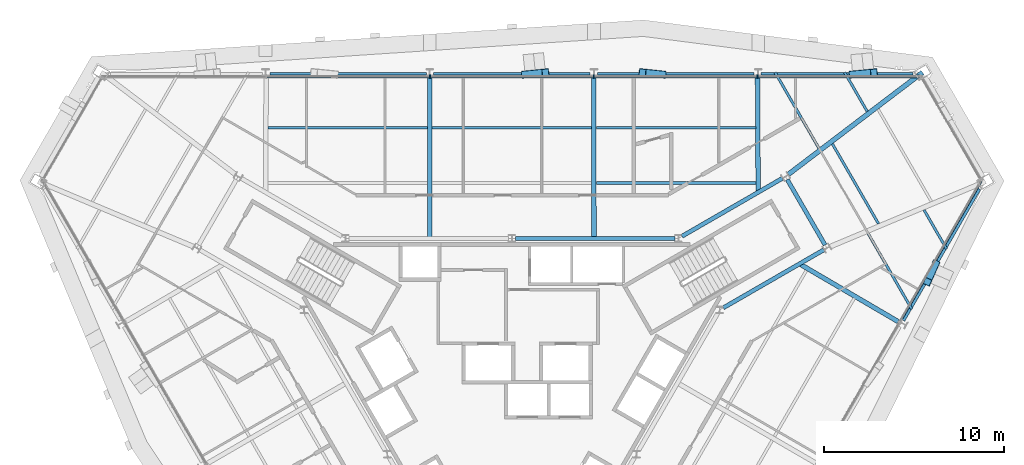
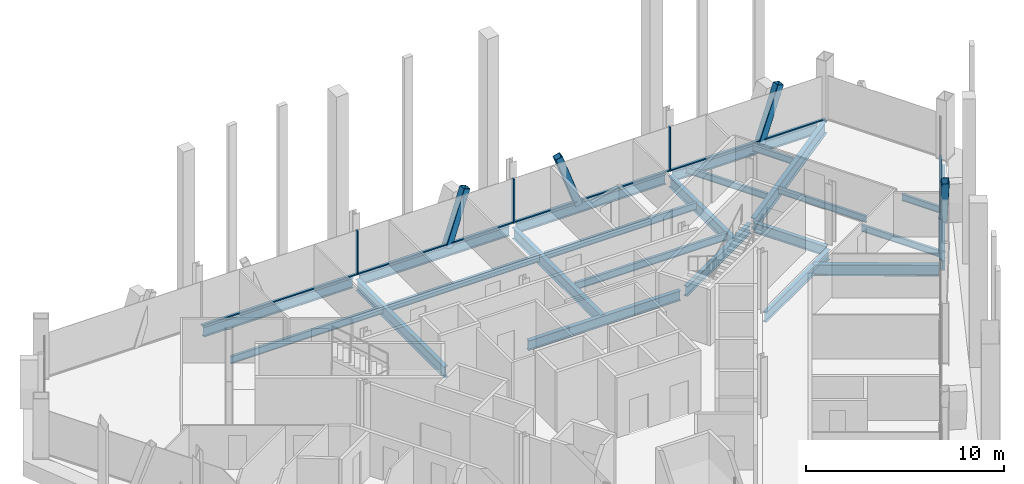
# One storey, part 7 of 16: 23 beams, 12 members, 2 elements without a shape of their own.
"""IFC4 building model written with IfcOpenShell, lengths in metres."""

from ifc_helpers import new_model, si_unit, direction, frame, origin, origin_2d, place, context, subcontext, project, spatial, rectangle, hollow_rectangle, i_section, extrude, material, material_profile, profile_set, type_object, element, aggregate, save


model = new_model("IFC4")

# Units and contexts
model_context = context("Model", 3, precision=1e-05, world=origin(), true_north=direction((0.0, 1.0)))
body_context = subcontext(model_context, "Body", "Model", "MODEL_VIEW")
ifc_project = project(units=[si_unit("LENGTHUNIT", "METRE"), si_unit("AREAUNIT", "SQUARE_METRE"), si_unit("VOLUMEUNIT", "CUBIC_METRE"), si_unit("PLANEANGLEUNIT", "RADIAN"), si_unit("MASSUNIT", "GRAM", prefix="KILO")], contexts=[model_context])

# Site, building, storey
site_placement = place(None, origin())
site = spatial("IfcSite", under=ifc_project, at=site_placement, CompositionType="ELEMENT")
building_placement = place(site_placement, origin())
building = spatial("IfcBuilding", under=site, at=building_placement, Name="Verrane Prism Tower", CompositionType="ELEMENT")
storey_placement = place(building_placement, frame((0.0, 0.0, 247.10009765625)))
storey = spatial("IfcBuildingStorey", under=building, at=storey_placement, Name="L62", CompositionType="ELEMENT", Elevation=247.10009765625)

# Beams
ifc_material_1 = material(Name="Steel A992", Category="steel")
ifc_material_profile_1 = material_profile(ifc_material_1, i_section(OverallWidth=0.23046875, OverallDepth=0.6171875, WebThickness=0.01318359375, FlangeThickness=0.022216796875, FilletRadius=0.012939453125, at=origin_2d()), Name="W24x94")
ifc_profile_set_1 = profile_set([ifc_material_profile_1], Name="Steel A992")
beam_type_1 = type_object("IfcBeamType", Name="Core ring girder W24x94", PredefinedType="BEAM", material=ifc_profile_set_1)
beam_1_placement = place(storey_placement, frame((11.759521484375, 4.135009765625, -0.55859375), z_axis=(0.866080992722, 0.499903704773, 0.0), x_axis=(-0.499903704773, 0.866080992722, 0.0)))
element("IfcBeam", 1, at=beam_1_placement, inside=storey, type_object=beam_type_1, Name="Core ring girder L62", PredefinedType="BEAM", context=body_context, shape_type="SweptSolid", body=[
    extrude(i_section(OverallWidth=0.23046875, OverallDepth=0.6171875, WebThickness=0.01318359375, FlangeThickness=0.022216796875, FilletRadius=0.012939453125, at=origin_2d()), origin(), (0.0, 0.0, 1.0), 6.451904296875),
])
beam_2_placement = place(storey_placement, frame((17.419677734375, 7.6337890625, -0.55859375), z_axis=(-0.500375511519, 0.865808493532, 0.0), x_axis=(-0.865808493532, -0.500375511519, 0.0)))
element("IfcBeam", 2, at=beam_2_placement, inside=storey, type_object=beam_type_1, Name="Core ring girder L62", PredefinedType="BEAM", context=body_context, shape_type="SweptSolid", body=[
    extrude(i_section(OverallWidth=0.23046875, OverallDepth=0.6171875, WebThickness=0.01318359375, FlangeThickness=0.022216796875, FilletRadius=0.012939453125, at=origin_2d()), origin(), (0.0, 0.0, 1.0), 4.195556640625),
])
beam_3_placement = place(storey_placement, frame((15.04736328125, 11.34033203125, -0.55859375), z_axis=(-0.866080992722, -0.499903704773, 0.0), x_axis=(0.499903704773, -0.866080992722, 0.0)))
element("IfcBeam", 3, at=beam_3_placement, inside=storey, type_object=beam_type_1, Name="Core ring girder L62", PredefinedType="BEAM", context=body_context, shape_type="SweptSolid", body=[
    extrude(i_section(OverallWidth=0.23046875, OverallDepth=0.6171875, WebThickness=0.01318359375, FlangeThickness=0.022216796875, FilletRadius=0.012939453125, at=origin_2d()), origin(), (0.0, 0.0, 1.0), 6.451904296875),
])
beam_4_placement = place(storey_placement, frame((9.060546875, 8.0, -0.55859375), z_axis=(-1.0, 0.0, 0.0), x_axis=(0.0, -1.0, 0.0)))
element("IfcBeam", 4, at=beam_4_placement, inside=storey, type_object=beam_type_1, Name="Core ring girder L62", PredefinedType="BEAM", context=body_context, shape_type="SweptSolid", body=[
    extrude(i_section(OverallWidth=0.23046875, OverallDepth=0.6171875, WebThickness=0.01318359375, FlangeThickness=0.022216796875, FilletRadius=0.012939453125, at=origin_2d()), origin(), (0.0, 0.0, 1.0), 8.861083984375),
])
ifc_material_2 = material(Name="Steel A992", Category="steel")
ifc_material_profile_2 = material_profile(ifc_material_2, i_section(OverallWidth=0.2666015625, OverallDepth=0.76708984375, WebThickness=0.014892578125, FlangeThickness=0.023681640625, FilletRadius=0.0166015625, at=origin_2d()), Name="W30x124")
ifc_profile_set_2 = profile_set([ifc_material_profile_2], Name="Steel A992")
beam_type_2 = type_object("IfcBeamType", Name="Corner girder W30x124", PredefinedType="BEAM", material=ifc_profile_set_2)
beam_5_placement = place(storey_placement, frame((22.838134765625, 17.228515625, -0.603515625), z_axis=(-0.796227983739, -0.604996692479, 0.0), x_axis=(0.604996692479, -0.796227983739, 0.0)))
element("IfcBeam", 5, at=beam_5_placement, inside=storey, type_object=beam_type_2, Name="Corner girder L62", PredefinedType="BEAM", context=body_context, shape_type="SweptSolid", body=[
    extrude(i_section(OverallWidth=0.2666015625, OverallDepth=0.76708984375, WebThickness=0.014892578125, FlangeThickness=0.023681640625, FilletRadius=0.0166015625, at=origin_2d()), origin(), (0.0, 0.0, 1.0), 9.366943359375),
])

# Members
ifc_material_3 = material(Name="Steel A500 Grade C", Category="steel")
ifc_material_profile_3 = material_profile(ifc_material_3, hollow_rectangle(XDim=0.406494140625, YDim=0.406494140625, WallThickness=0.01904296875, InnerFilletRadius=0.009521484375, OuterFilletRadius=0.028564453125, at=origin_2d()), Name="HSS16x16x3/4")
ifc_profile_set_3 = profile_set([ifc_material_profile_3], Name="Steel A500 Grade C")
member_type_1 = type_object("IfcMemberType", Name="Facade brace HSS16x16x3/4", PredefinedType="BRACE", material=ifc_profile_set_3)
member_1_placement = place(storey_placement, frame((18.9599609375, 17.114501953125, -0.216796875), z_axis=(0.345105050095, 0.033887209611, 0.937952110411), x_axis=(-0.097723897904, 0.995213564909, 0.0)))
element("IfcMember", 6, at=member_1_placement, inside=storey, type_object=member_type_1, Name="Facade brace N0 L62", PredefinedType="BRACE", context=body_context, shape_type="SweptSolid", body=[
    extrude(hollow_rectangle(XDim=0.406494140625, YDim=0.406494140625, WallThickness=0.01904296875, InnerFilletRadius=0.009521484375, OuterFilletRadius=0.028564453125, at=origin_2d()), origin(), (0.0, 0.0, 1.0), 3.40771484375),
])
member_2_placement = place(storey_placement, frame((8.37109375, 17.114501953125, -0.216796875), z_axis=(-0.32667224974, 0.03412455259, 0.944521442933), x_axis=(-0.103895806618, -0.994588186823, 0.0)))
element("IfcMember", 7, at=member_2_placement, inside=storey, type_object=member_type_1, Name="Facade brace N1 L62", PredefinedType="BRACE", context=body_context, shape_type="SweptSolid", body=[
    extrude(hollow_rectangle(XDim=0.406494140625, YDim=0.406494140625, WallThickness=0.01904296875, InnerFilletRadius=0.009521484375, OuterFilletRadius=0.028564453125, at=origin_2d()), origin(), (0.0, 0.0, 1.0), 3.384033203125),
])
member_3_placement = place(storey_placement, frame((0.739990234375, 17.114501953125, -0.216796875), z_axis=(0.332966004874, 0.034045162193, 0.942324024171), x_axis=(-0.101717831038, 0.994813290446, 0.0)))
element("IfcMember", 8, at=member_3_placement, inside=storey, type_object=member_type_1, Name="Facade brace N2 L62", PredefinedType="BRACE", context=body_context, shape_type="SweptSolid", body=[
    extrude(hollow_rectangle(XDim=0.406494140625, YDim=0.406494140625, WallThickness=0.01904296875, InnerFilletRadius=0.009521484375, OuterFilletRadius=0.028564453125, at=origin_2d()), origin(), (0.0, 0.0, 1.0), 3.391845703125),
])
member_4_placement = place(storey_placement, frame((23.560791015625, 6.579345703125, -0.216796875), z_axis=(-0.131006907895, -0.294765542763, 0.946546599425), x_axis=(0.91381154862, -0.406138466053, 0.0)))
element("IfcMember", 9, at=member_4_placement, inside=storey, type_object=member_type_1, Name="Facade brace SE4 L62", PredefinedType="BRACE", context=body_context, shape_type="SweptSolid", body=[
    extrude(hollow_rectangle(XDim=0.406494140625, YDim=0.406494140625, WallThickness=0.01904296875, InnerFilletRadius=0.009521484375, OuterFilletRadius=0.028564453125, at=origin_2d()), origin(), (0.0, 0.0, 1.0), 3.376708984375),
])

# Beams
ifc_material_4 = material(Name="Steel A992", Category="steel")
ifc_material_profile_4 = material_profile(ifc_material_4, i_section(OverallWidth=0.140380859375, OverallDepth=0.40380859375, WebThickness=0.007080078125, FlangeThickness=0.01123046875, FilletRadius=0.01025390625, at=origin_2d()), Name="W16x31")
ifc_profile_set_4 = profile_set([ifc_material_profile_4], Name="Steel A992")
beam_type_3 = type_object("IfcBeamType", Name="Floor beam W16x31", PredefinedType="BEAM", material=ifc_profile_set_4)
beam_6_placement = place(storey_placement, frame((19.7626953125, 15.0595703125, -0.362060546875), z_axis=(-0.499952953824, 0.866052564203, 0.0), x_axis=(-0.866052564203, -0.499952953824, 0.0)))
element("IfcBeam", 10, at=beam_6_placement, inside=storey, type_object=beam_type_3, Name="Floor beam L62", PredefinedType="BEAM", context=body_context, shape_type="SweptSolid", body=[
    extrude(i_section(OverallWidth=0.140380859375, OverallDepth=0.40380859375, WebThickness=0.007080078125, FlangeThickness=0.01123046875, FilletRadius=0.01025390625, at=origin_2d()), origin(), (0.0, 0.0, 1.0), 2.506103515625),
])
beam_7_placement = place(storey_placement, frame((17.073974609375, 13.016357421875, -0.362060546875), z_axis=(-0.499981623307, 0.866036013313, 0.0), x_axis=(-0.866036013313, -0.499981623307, 0.0)))
element("IfcBeam", 11, at=beam_7_placement, inside=storey, type_object=beam_type_3, Name="Floor beam L62", PredefinedType="BEAM", context=body_context, shape_type="SweptSolid", body=[
    extrude(i_section(OverallWidth=0.140380859375, OverallDepth=0.40380859375, WebThickness=0.007080078125, FlangeThickness=0.01123046875, FilletRadius=0.01025390625, at=origin_2d()), origin(), (0.0, 0.0, 1.0), 4.865478515625),
])
beam_8_placement = place(storey_placement, frame((24.17529296875, 7.4130859375, -0.362060546875), z_axis=(-0.500029068389, 0.866008620492, 0.0), x_axis=(-0.866008620492, -0.500029068389, 0.0)))
element("IfcBeam", 12, at=beam_8_placement, inside=storey, type_object=beam_type_3, Name="Floor beam L62", PredefinedType="BEAM", context=body_context, shape_type="SweptSolid", body=[
    extrude(i_section(OverallWidth=0.140380859375, OverallDepth=0.40380859375, WebThickness=0.007080078125, FlangeThickness=0.01123046875, FilletRadius=0.01025390625, at=origin_2d()), origin(), (0.0, 0.0, 1.0), 2.504150390625),
])
beam_9_placement = place(storey_placement, frame((22.241455078125, 4.06591796875, -0.362060546875), z_axis=(-0.499984730997, 0.866034219168, 0.0), x_axis=(-0.866034219168, -0.499984730997, 0.0)))
element("IfcBeam", 13, at=beam_9_placement, inside=storey, type_object=beam_type_3, Name="Floor beam L62", PredefinedType="BEAM", context=body_context, shape_type="SweptSolid", body=[
    extrude(i_section(OverallWidth=0.140380859375, OverallDepth=0.40380859375, WebThickness=0.007080078125, FlangeThickness=0.01123046875, FilletRadius=0.01025390625, at=origin_2d()), origin(), (0.0, 0.0, 1.0), 4.861572265625),
])
beam_10_placement = place(storey_placement, frame((20.392822265625, 8.809814453125, -0.362060546875), z_axis=(-0.499987429501, 0.866032661244, 0.0), x_axis=(-0.866032661244, -0.499987429501, 0.0)))
element("IfcBeam", 14, at=beam_10_placement, inside=storey, type_object=beam_type_3, Name="Floor beam L62", PredefinedType="BEAM", context=body_context, shape_type="SweptSolid", body=[
    extrude(i_section(OverallWidth=0.140380859375, OverallDepth=0.40380859375, WebThickness=0.007080078125, FlangeThickness=0.01123046875, FilletRadius=0.01025390625, at=origin_2d()), origin(), (0.0, 0.0, 1.0), 5.131103515625),
])
ifc_material_5 = material(Name="Steel A992", Category="steel")
ifc_material_profile_5 = material_profile(ifc_material_5, i_section(OverallWidth=0.15234375, OverallDepth=0.449462890625, WebThickness=0.007568359375, FlangeThickness=0.0107421875, FilletRadius=0.01025390625, at=origin_2d()), Name="W18x35")
ifc_profile_set_5 = profile_set([ifc_material_profile_5], Name="Steel A992")
beam_type_4 = type_object("IfcBeamType", Name="Floor beam W18x35", PredefinedType="BEAM", material=ifc_profile_set_5)
for number, where, z_axis, x_axis, name in (
    (15, (4.697021484375, 11.07666015625, -0.385009765625), (1.0, 0.0, 0.0), (0.0, 1.0, 0.0), "Floor beam L62"),
    (16, (4.697021484375, 14.1533203125, -0.385009765625), (1.0, 0.0, 0.0), (0.0, 1.0, 0.0), "Floor beam L62"),
):
    element("IfcBeam", number, at=place(storey_placement, frame(where, z_axis=z_axis, x_axis=x_axis)), inside=storey, type_object=beam_type_4, Name=name, PredefinedType="BEAM", context=body_context, shape_type="SweptSolid", body=[
        extrude(i_section(OverallWidth=0.15234375, OverallDepth=0.449462890625, WebThickness=0.007568359375, FlangeThickness=0.0107421875, FilletRadius=0.01025390625, at=origin_2d()), origin(), (0.0, 0.0, 1.0), 8.8759765625),
    ])
beam_11_placement = place(storey_placement, frame((-4.443115234375, 14.1533203125, -0.385009765625), z_axis=(1.0, 0.0, 0.0), x_axis=(0.0, 1.0, 0.0)))
element("IfcBeam", 17, at=beam_11_placement, inside=storey, type_object=beam_type_4, Name="Floor beam L62", PredefinedType="BEAM", context=body_context, shape_type="SweptSolid", body=[
    extrude(i_section(OverallWidth=0.15234375, OverallDepth=0.449462890625, WebThickness=0.007568359375, FlangeThickness=0.0107421875, FilletRadius=0.01025390625, at=origin_2d()), origin(), (0.0, 0.0, 1.0), 8.88623046875),
])
beam_12_placement = place(storey_placement, frame((-13.572998046875, 14.1533203125, -0.385009765625), z_axis=(1.0, 0.0, 0.0), x_axis=(0.0, 1.0, 0.0)))
element("IfcBeam", 18, at=beam_12_placement, inside=storey, type_object=beam_type_4, Name="Floor beam L62", PredefinedType="BEAM", context=body_context, shape_type="SweptSolid", body=[
    extrude(i_section(OverallWidth=0.15234375, OverallDepth=0.449462890625, WebThickness=0.007568359375, FlangeThickness=0.0107421875, FilletRadius=0.01025390625, at=origin_2d()), origin(), (0.0, 0.0, 1.0), 8.8759765625),
])

# Curtain wall, members
ifc_material_6 = material(Name="Aluminium framed insulated glazing", Category="aluminium")
curtain_wall_type = type_object("IfcCurtainWallType", Name="Curtain wall CW-A 8400 module", PredefinedType="NOTDEFINED", material=ifc_material_6)
curtain_wall_1_placement = place(storey_placement, origin())
curtain_wall_1 = element("IfcCurtainWall", 19, at=curtain_wall_1_placement, inside=storey, type_object=curtain_wall_type, Name="Glazed curtain wall north face L62", PredefinedType="NOTDEFINED")
ifc_material_7 = material(Name="Aluminium alloy 6063-T6", Category="aluminium")
ifc_material_profile_6 = material_profile(ifc_material_7, rectangle(XDim=0.199951171875, YDim=0.070068359375, at=origin_2d()), Name="Mullion 70x200 aluminium")
ifc_profile_set_6 = profile_set([ifc_material_profile_6], Name="Aluminium alloy 6063-T6")
member_type_2 = type_object("IfcMemberType", Name="Mullion 70x200 aluminium", PredefinedType="MULLION", material=ifc_profile_set_6)
member_5_placement = place(storey_placement, frame((13.658447265625, 17.001708984375, 0.0), z_axis=(0.0, 0.0, 1.0), x_axis=(0.0, -1.0, 0.0)))
member_5 = element("IfcMember", 20, at=member_5_placement, type_object=member_type_2, Name="CW62.2 mullion 2", PredefinedType="MULLION", context=body_context, shape_type="SweptSolid", body=[
    extrude(rectangle(XDim=0.199951171875, YDim=0.070068359375, at=origin_2d()), origin(), (0.0, 0.0, 1.0), 2.712890625),
])
member_6_placement = place(storey_placement, frame((4.552734375, 17.001708984375, 0.0), z_axis=(0.0, 0.0, 1.0), x_axis=(0.0, -1.0, 0.0)))
member_6 = element("IfcMember", 21, at=member_6_placement, type_object=member_type_2, Name="CW62.2 mullion 3", PredefinedType="MULLION", context=body_context, shape_type="SweptSolid", body=[
    extrude(rectangle(XDim=0.199951171875, YDim=0.070068359375, at=origin_2d()), origin(), (0.0, 0.0, 1.0), 2.712890625),
])
member_7_placement = place(storey_placement, frame((-4.552734375, 17.001708984375, 0.0), z_axis=(0.0, 0.0, 1.0), x_axis=(0.0, -1.0, 0.0)))
member_7 = element("IfcMember", 22, at=member_7_placement, type_object=member_type_2, Name="CW62.2 mullion 4", PredefinedType="MULLION", context=body_context, shape_type="SweptSolid", body=[
    extrude(rectangle(XDim=0.199951171875, YDim=0.070068359375, at=origin_2d()), origin(), (0.0, 0.0, 1.0), 2.712890625),
])

# Beams
ifc_material_8 = material(Name="Steel A992", Category="steel")
ifc_material_profile_7 = material_profile(ifc_material_8, i_section(OverallWidth=0.25390625, OverallDepth=0.683349609375, WebThickness=0.012451171875, FlangeThickness=0.01904296875, FilletRadius=0.01513671875, at=origin_2d()), Name="W27x94")
ifc_profile_set_7 = profile_set([ifc_material_profile_7], Name="Steel A992")
beam_type_5 = type_object("IfcBeamType", Name="Radial girder W27x94", PredefinedType="BEAM", material=ifc_profile_set_7)
beam_13_placement = place(storey_placement, frame((13.66162109375, 16.921630859375, -0.561767578125), z_axis=(0.00602768747, -0.999981833327, 0.0), x_axis=(0.999981833327, 0.00602768747, 0.0)))
element("IfcBeam", 23, at=beam_13_placement, inside=storey, type_object=beam_type_5, Name="Radial girder L62", PredefinedType="BEAM", context=body_context, shape_type="SweptSolid", body=[
    extrude(i_section(OverallWidth=0.25390625, OverallDepth=0.683349609375, WebThickness=0.012451171875, FlangeThickness=0.01904296875, FilletRadius=0.01513671875, at=origin_2d()), origin(), (0.0, 0.0, 1.0), 6.35888671875),
])
for number, where, z_axis, x_axis, name in (
    (24, (4.55712890625, 16.921630859375, -0.561767578125), (0.001450344642, -0.99999894825, 0.0), (0.99999894825, 0.001450344642, 0.0), "Radial girder L62"),
    (25, (-4.55712890625, 16.921630859375, -0.561767578125), (-0.001450344642, -0.99999894825, 0.0), (0.99999894825, -0.001450344642, 0.0), "Radial girder L62"),
):
    element("IfcBeam", number, at=place(storey_placement, frame(where, z_axis=z_axis, x_axis=x_axis)), inside=storey, type_object=beam_type_5, Name=name, PredefinedType="BEAM", context=body_context, shape_type="SweptSolid", body=[
        extrude(i_section(OverallWidth=0.25390625, OverallDepth=0.683349609375, WebThickness=0.012451171875, FlangeThickness=0.01904296875, FilletRadius=0.01513671875, at=origin_2d()), origin(), (0.0, 0.0, 1.0), 8.921630859375),
    ])
beam_14_placement = place(storey_placement, frame((21.484619140625, 3.37060546875, -0.561767578125), z_axis=(-0.863000583358, 0.505202922719, 0.0), x_axis=(-0.505202922719, -0.863000583358, 0.0)))
element("IfcBeam", 26, at=beam_14_placement, inside=storey, type_object=beam_type_5, Name="Radial girder L62", PredefinedType="BEAM", context=body_context, shape_type="SweptSolid", body=[
    extrude(i_section(OverallWidth=0.25390625, OverallDepth=0.683349609375, WebThickness=0.012451171875, FlangeThickness=0.01904296875, FilletRadius=0.01513671875, at=origin_2d()), origin(), (0.0, 0.0, 1.0), 6.356689453125),
])
ifc_material_9 = material(Name="Steel A992", Category="steel")
ifc_material_profile_8 = material_profile(ifc_material_9, i_section(OverallWidth=0.23046875, OverallDepth=0.6171875, WebThickness=0.01318359375, FlangeThickness=0.022216796875, FilletRadius=0.012939453125, at=origin_2d()), Name="W24x94")
ifc_profile_set_8 = profile_set([ifc_material_profile_8], Name="Steel A992")
beam_type_6 = type_object("IfcBeamType", Name="Spandrel beam W24x94", PredefinedType="SPANDREL", material=ifc_profile_set_8)
beam_15_placement = place(storey_placement, frame((22.310546875, 17.114501953125, -0.46875), z_axis=(-1.0, 0.0, 0.0), x_axis=(0.0, -1.0, 0.0)))
element("IfcBeam", 27, at=beam_15_placement, inside=storey, type_object=beam_type_6, Name="Spandrel beam L62", PredefinedType="SPANDREL", context=body_context, shape_type="SweptSolid", body=[
    extrude(i_section(OverallWidth=0.23046875, OverallDepth=0.6171875, WebThickness=0.01318359375, FlangeThickness=0.022216796875, FilletRadius=0.012939453125, at=origin_2d()), origin(), (0.0, 0.0, 1.0), 8.45068359375),
])
beam_16_placement = place(storey_placement, frame((13.4609375, 17.114501953125, -0.46875), z_axis=(-1.0, 0.0, 0.0), x_axis=(0.0, -1.0, 0.0)))
element("IfcBeam", 28, at=beam_16_placement, inside=storey, type_object=beam_type_6, Name="Spandrel beam L62", PredefinedType="SPANDREL", context=body_context, shape_type="SweptSolid", body=[
    extrude(i_section(OverallWidth=0.23046875, OverallDepth=0.6171875, WebThickness=0.01318359375, FlangeThickness=0.022216796875, FilletRadius=0.012939453125, at=origin_2d()), origin(), (0.0, 0.0, 1.0), 8.704833984375),
])
beam_17_placement = place(storey_placement, frame((4.357421875, 17.114501953125, -0.46875), z_axis=(-1.0, 0.0, 0.0), x_axis=(0.0, -1.0, 0.0)))
element("IfcBeam", 29, at=beam_17_placement, inside=storey, type_object=beam_type_6, Name="Spandrel beam L62", PredefinedType="SPANDREL", context=body_context, shape_type="SweptSolid", body=[
    extrude(i_section(OverallWidth=0.23046875, OverallDepth=0.6171875, WebThickness=0.01318359375, FlangeThickness=0.022216796875, FilletRadius=0.012939453125, at=origin_2d()), origin(), (0.0, 0.0, 1.0), 8.71484375),
])
beam_18_placement = place(storey_placement, frame((-4.756103515625, 17.114501953125, -0.46875), z_axis=(-1.0, 0.0, 0.0), x_axis=(0.0, -1.0, 0.0)))
element("IfcBeam", 30, at=beam_18_placement, inside=storey, type_object=beam_type_6, Name="Spandrel beam L62", PredefinedType="SPANDREL", context=body_context, shape_type="SweptSolid", body=[
    extrude(i_section(OverallWidth=0.23046875, OverallDepth=0.6171875, WebThickness=0.01318359375, FlangeThickness=0.022216796875, FilletRadius=0.012939453125, at=origin_2d()), origin(), (0.0, 0.0, 1.0), 8.704833984375),
])
beam_19_placement = place(storey_placement, frame((21.7509765625, 3.44580078125, -0.46875), z_axis=(0.500155277805, 0.865935735539, 0.0), x_axis=(-0.865935735539, 0.500155277805, 0.0)))
element("IfcBeam", 31, at=beam_19_placement, inside=storey, type_object=beam_type_6, Name="Spandrel beam L62", PredefinedType="SPANDREL", context=body_context, shape_type="SweptSolid", body=[
    extrude(i_section(OverallWidth=0.23046875, OverallDepth=0.6171875, WebThickness=0.01318359375, FlangeThickness=0.022216796875, FilletRadius=0.012939453125, at=origin_2d()), origin(), (0.0, 0.0, 1.0), 8.446533203125),
])

# Member
ifc_material_10 = material(Name="Aluminium alloy 6063-T6", Category="aluminium")
ifc_material_profile_9 = material_profile(ifc_material_10, rectangle(XDim=0.14990234375, YDim=0.070068359375, at=origin_2d()), Name="Transom 70x150 aluminium")
ifc_profile_set_9 = profile_set([ifc_material_profile_9], Name="Aluminium alloy 6063-T6")
member_type_3 = type_object("IfcMemberType", Name="Transom 70x150 aluminium", PredefinedType="USERDEFINED", material=ifc_profile_set_9)
member_8_placement = place(storey_placement, frame((22.694091796875, 17.001708984375, 0.034912109375), z_axis=(-1.0, 0.0, 0.0), x_axis=(0.0, -1.0, 0.0)))
member_8 = element("IfcMember", 32, at=member_8_placement, type_object=member_type_3, Name="CW62.2 transom 1", ObjectType="TRANSOM", PredefinedType="USERDEFINED", context=body_context, shape_type="SweptSolid", body=[
    extrude(rectangle(XDim=0.14990234375, YDim=0.070068359375, at=origin_2d()), origin(), (0.0, 0.0, 1.0), 9.000732421875),
])

member_9_placement = place(storey_placement, frame((13.62353515625, 17.001708984375, 0.034912109375), z_axis=(-1.0, 0.0, 0.0), x_axis=(0.0, -1.0, 0.0)))
member_9 = element("IfcMember", 33, at=member_9_placement, type_object=member_type_3, Name="CW62.2 transom 2", ObjectType="TRANSOM", PredefinedType="USERDEFINED", context=body_context, shape_type="SweptSolid", body=[
    extrude(rectangle(XDim=0.14990234375, YDim=0.070068359375, at=origin_2d()), origin(), (0.0, 0.0, 1.0), 9.03564453125),
])

member_10_placement = place(storey_placement, frame((4.517822265625, 17.001708984375, 0.034912109375), z_axis=(-1.0, 0.0, 0.0), x_axis=(0.0, -1.0, 0.0)))
member_10 = element("IfcMember", 34, at=member_10_placement, type_object=member_type_3, Name="CW62.2 transom 3", ObjectType="TRANSOM", PredefinedType="USERDEFINED", context=body_context, shape_type="SweptSolid", body=[
    extrude(rectangle(XDim=0.14990234375, YDim=0.070068359375, at=origin_2d()), origin(), (0.0, 0.0, 1.0), 9.03564453125),
])

member_11_placement = place(storey_placement, frame((-4.587890625, 17.001708984375, 0.034912109375), z_axis=(-1.0, 0.0, 0.0), x_axis=(0.0, -1.0, 0.0)))
member_11 = element("IfcMember", 35, at=member_11_placement, type_object=member_type_3, Name="CW62.2 transom 4", ObjectType="TRANSOM", PredefinedType="USERDEFINED", context=body_context, shape_type="SweptSolid", body=[
    extrude(rectangle(XDim=0.14990234375, YDim=0.070068359375, at=origin_2d()), origin(), (0.0, 0.0, 1.0), 9.03564453125),
])

aggregate(curtain_wall_1, [member_5, member_6, member_7, member_8, member_9, member_10, member_11])

# Curtain wall, member
curtain_wall_2_placement = place(storey_placement, origin())
curtain_wall_2 = element("IfcCurtainWall", 36, at=curtain_wall_2_placement, inside=storey, type_object=curtain_wall_type, Name="Glazed curtain wall south-east face L62", PredefinedType="NOTDEFINED")
member_12_placement = place(storey_placement, frame((21.57080078125, 3.35791015625, 0.034912109375), z_axis=(0.499983401189, 0.8660349869, 0.0), x_axis=(-0.8660349869, 0.499983401189, 0.0)))
member_12 = element("IfcMember", 37, at=member_12_placement, type_object=member_type_3, Name="CW62.6 transom 5", ObjectType="TRANSOM", PredefinedType="USERDEFINED", context=body_context, shape_type="SweptSolid", body=[
    extrude(rectangle(XDim=0.14990234375, YDim=0.070068359375, at=origin_2d()), origin(), (0.0, 0.0, 1.0), 9.070556640625),
])
aggregate(curtain_wall_2, [member_12])

save(model, "model.ifc")
